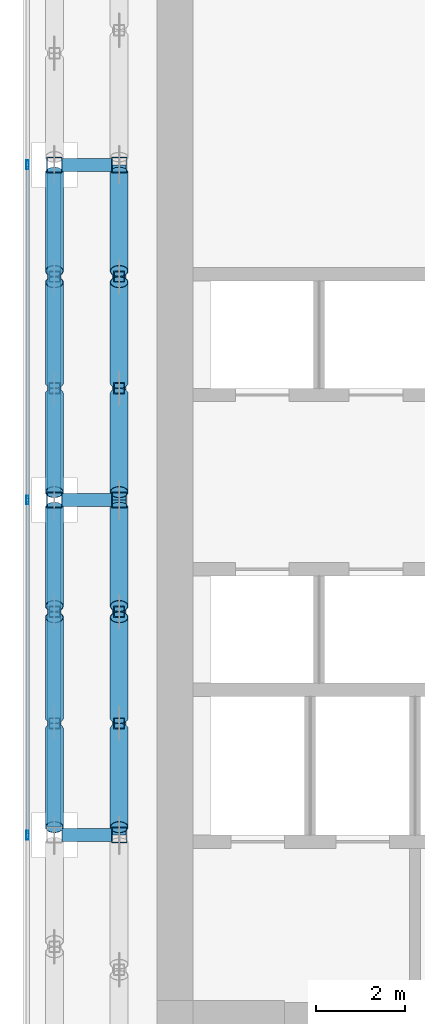
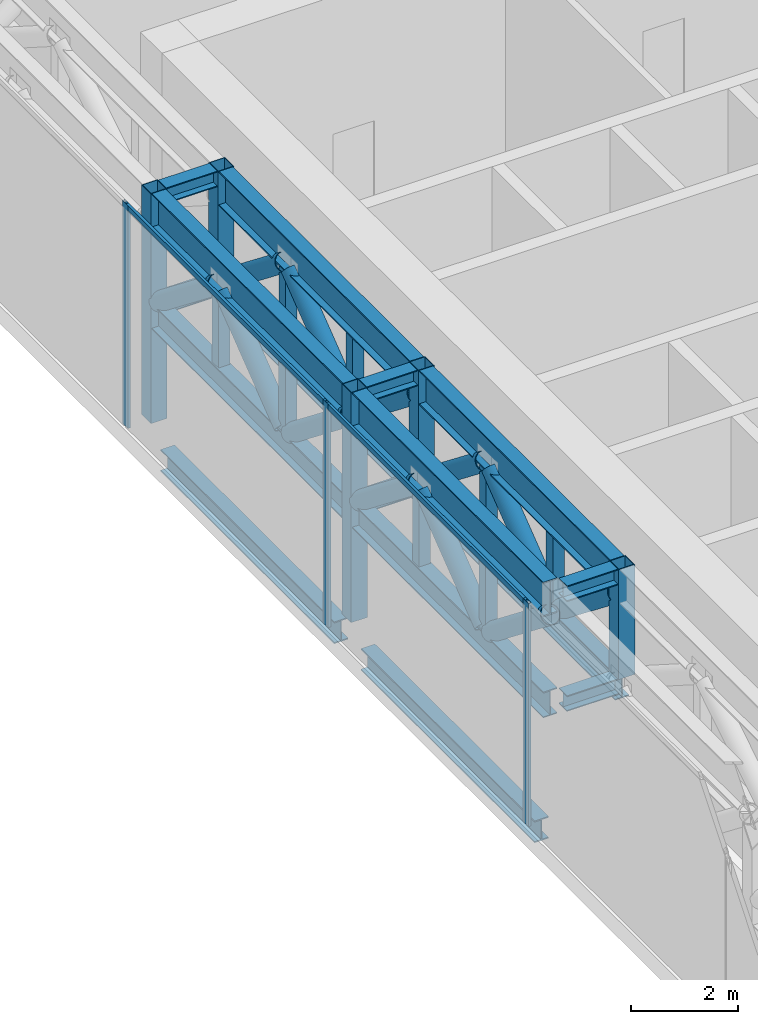
# One storey, part 8 of 36: 38 members, 8 beams, 1 element without a shape of its own.
"""IFC4 building model written with IfcOpenShell, lengths in metres."""

from ifc_helpers import new_model, si_unit, direction, frame, origin, origin_2d, place, context, subcontext, project, spatial, hollow_rectangle, hollow_circle, i_section, extrude, source, transform, mapped, material, material_profile, profile_set, type_object, element, aggregate, save


model = new_model("IFC4")

# Units and contexts
model_context = context("Model", 3, precision=1e-05, world=origin(), true_north=direction((0.0, 1.0)))
body_context = subcontext(model_context, "Body", "Model", "MODEL_VIEW")
ifc_project = project(units=[si_unit("LENGTHUNIT", "METRE"), si_unit("AREAUNIT", "SQUARE_METRE"), si_unit("VOLUMEUNIT", "CUBIC_METRE"), si_unit("PLANEANGLEUNIT", "RADIAN"), si_unit("MASSUNIT", "GRAM", prefix="KILO")], contexts=[model_context])

# Site, building, storey
site_placement = place(None, origin())
site = spatial("IfcSite", under=ifc_project, at=site_placement, CompositionType="ELEMENT")
building_placement = place(site_placement, origin())
building = spatial("IfcBuilding", under=site, at=building_placement, Name="Khomas Fold Tower", CompositionType="ELEMENT")
storey_placement = place(building_placement, frame((0.0, 0.0, 216.699951171875)))
storey = spatial("IfcBuildingStorey", under=building, at=storey_placement, Name="L48", CompositionType="ELEMENT", Elevation=216.699951171875)

# Beams
ifc_material_1 = material(Name="Steel S355", Category="steel")
ifc_material_profile_1 = material_profile(ifc_material_1, i_section(OverallWidth=0.300048828125, OverallDepth=0.5, WebThickness=0.014404296875, FlangeThickness=0.028076171875, at=origin_2d()), Name="HE 500 B")
ifc_profile_set_1 = profile_set([ifc_material_profile_1], Name="Steel S355")
beam_type_1 = type_object("IfcBeamType", Name="HE 500 B spandrel SB3", PredefinedType="SPANDREL", material=ifc_profile_set_1)
shared_shape_1 = source(origin(), body_context, "Body", "SweptSolid", [
    extrude(i_section(OverallWidth=0.300048828125, OverallDepth=0.5, WebThickness=0.014404296875, FlangeThickness=0.028076171875, at=origin_2d()), origin(), (0.0, 0.0, 1.0), 6.5),
])
for number, where, z_axis, x_axis, name in (
    (1, (3.699951171875, 27.5, -0.64990234375), (0.0, 1.0, 0.0), (-1.0, 0.0, 0.0), "SB3"),
    (2, (3.699951171875, 20.0, -0.64990234375), (0.0, 1.0, 0.0), (-1.0, 0.0, 0.0), "SB3"),
):
    element("IfcBeam", number, at=place(storey_placement, frame(where, z_axis=z_axis, x_axis=x_axis)), inside=storey, type_object=beam_type_1, Name=name, PredefinedType="SPANDREL", context=body_context, shape_type="MappedRepresentation", body=[
        mapped(shared_shape_1, transform((0.0, 0.0, 0.0))),
    ])

# Members
ifc_material_2 = material(Name="Steel S355", Category="steel")
ifc_material_profile_2 = material_profile(ifc_material_2, i_section(OverallWidth=0.300048828125, OverallDepth=0.7900390625, WebThickness=0.014892578125, FlangeThickness=0.028076171875, at=origin_2d()), Name="HE 800 A")
ifc_profile_set_2 = profile_set([ifc_material_profile_2], Name="Steel S355")
member_type_1 = type_object("IfcMemberType", Name="BELT TRUSS 3 TOP CHORD HE 800 A", PredefinedType="CHORD", material=ifc_profile_set_2)
shared_shape_2 = source(origin(), body_context, "Body", "SweptSolid", [
    extrude(i_section(OverallWidth=0.300048828125, OverallDepth=0.7900390625, WebThickness=0.014892578125, FlangeThickness=0.028076171875, at=origin_2d()), origin(), (0.0, 0.0, 1.0), 7.14990234375),
])
for number, where, z_axis, x_axis, name in (
    (3, (3.699951171875, 34.324951171875, 4.85498046875), (0.0, -1.0, 0.0), (1.0, 0.0, 0.0), "BT3-CT"),
    (4, (3.699951171875, 26.824951171875, 4.85498046875), (0.0, -1.0, 0.0), (1.0, 0.0, 0.0), "BT3-CT"),
    (5, (5.14990234375, 34.324951171875, 4.85498046875), (0.0, -1.0, 0.0), (1.0, 0.0, 0.0), "BT3-CT"),
    (6, (5.14990234375, 26.824951171875, 4.85498046875), (0.0, -1.0, 0.0), (1.0, 0.0, 0.0), "BT3-CT"),
):
    element("IfcMember", number, at=place(storey_placement, frame(where, z_axis=z_axis, x_axis=x_axis)), inside=storey, type_object=member_type_1, Name=name, PredefinedType="CHORD", context=body_context, shape_type="MappedRepresentation", body=[
        mapped(shared_shape_2, transform((0.0, 0.0, 0.0))),
    ])
ifc_material_3 = material(Name="Steel S355", Category="steel")
ifc_material_profile_3 = material_profile(ifc_material_3, i_section(OverallWidth=0.300048828125, OverallDepth=0.590087890625, WebThickness=0.012939453125, FlangeThickness=0.02490234375, at=origin_2d()), Name="HE 600 A")
ifc_profile_set_3 = profile_set([ifc_material_profile_3], Name="Steel S355")
member_type_2 = type_object("IfcMemberType", Name="BELT TRUSS 3 BOTTOM CHORD HE 600 A", PredefinedType="CHORD", material=ifc_profile_set_3)
shared_shape_3 = source(origin(), body_context, "Body", "SweptSolid", [
    extrude(i_section(OverallWidth=0.300048828125, OverallDepth=0.590087890625, WebThickness=0.012939453125, FlangeThickness=0.02490234375, at=origin_2d()), origin(), (0.0, 0.0, 1.0), 7.14990234375),
])
for number, where, z_axis, x_axis, name in (
    (7, (3.699951171875, 34.324951171875, 2.445068359375), (0.0, -1.0, 0.0), (1.0, 0.0, 0.0), "BT3-CB"),
    (8, (3.699951171875, 26.824951171875, 2.445068359375), (0.0, -1.0, 0.0), (1.0, 0.0, 0.0), "BT3-CB"),
):
    element("IfcMember", number, at=place(storey_placement, frame(where, z_axis=z_axis, x_axis=x_axis)), inside=storey, type_object=member_type_2, Name=name, PredefinedType="CHORD", context=body_context, shape_type="MappedRepresentation", body=[
        mapped(shared_shape_3, transform((0.0, 0.0, 0.0))),
    ])
ifc_material_4 = material(Name="Steel S355", Category="steel")
ifc_material_profile_4 = material_profile(ifc_material_4, hollow_circle(Radius=0.203125, WallThickness=0.012451171875, at=origin_2d()), Name="CHS 406.4x12.5")
ifc_profile_set_4 = profile_set([ifc_material_profile_4], Name="Steel S355")
member_type_3 = type_object("IfcMemberType", Name="BELT TRUSS 3 DIAGONAL CHS 406.4x12.5", PredefinedType="BRACE", material=ifc_profile_set_4)
shared_shape_4 = source(origin(), body_context, "Body", "SweptSolid", [
    extrude(hollow_circle(Radius=0.203125, WallThickness=0.012451171875, at=origin_2d()), origin(), (0.0, 0.0, 1.0), 2.798583984375),
])
for number, where, z_axis, x_axis, name in (
    (9, (3.699951171875, 34.324951171875, 2.735107421875), (0.0, -0.786067028411, 0.618141267709), (1.0, 0.0, 0.0), "BT3-D"),
    (10, (3.699951171875, 29.375, 2.735107421875), (0.0, -0.786067028411, 0.618141267709), (1.0, 0.0, 0.0), "BT3-D"),
    (11, (3.699951171875, 26.824951171875, 2.735107421875), (0.0, -0.786067028411, 0.618141267709), (1.0, 0.0, 0.0), "BT3-D"),
    (12, (3.699951171875, 21.875, 2.735107421875), (0.0, -0.786067028411, 0.618141267709), (1.0, 0.0, 0.0), "BT3-D"),
    (13, (5.14990234375, 34.324951171875, 2.735107421875), (0.0, -0.786067028411, 0.618141267709), (1.0, 0.0, 0.0), "BT3-D"),
    (14, (5.14990234375, 29.375, 2.735107421875), (0.0, -0.786067028411, 0.618141267709), (1.0, 0.0, 0.0), "BT3-D"),
    (15, (5.14990234375, 26.824951171875, 2.735107421875), (0.0, -0.786067028411, 0.618141267709), (1.0, 0.0, 0.0), "BT3-D"),
    (16, (5.14990234375, 21.875, 2.735107421875), (0.0, -0.786067028411, 0.618141267709), (1.0, 0.0, 0.0), "BT3-D"),
):
    element("IfcMember", number, at=place(storey_placement, frame(where, z_axis=z_axis, x_axis=x_axis)), inside=storey, type_object=member_type_3, Name=name, PredefinedType="BRACE", context=body_context, shape_type="MappedRepresentation", body=[
        mapped(shared_shape_4, transform((0.0, 0.0, 0.0))),
    ])
shared_shape_5 = source(origin(), body_context, "Body", "SweptSolid", [
    extrude(hollow_circle(Radius=0.203125, WallThickness=0.012451171875, at=origin_2d()), origin(), (0.0, 0.0, 1.0), 2.838134765625),
])
for number, where, z_axis, x_axis, name in (
    (17, (3.699951171875, 31.875, 4.465087890625), (0.0, -0.792758275848, -0.609536148292), (1.0, 0.0, 0.0), "BT3-D"),
    (18, (3.699951171875, 24.375, 4.465087890625), (0.0, -0.792758275848, -0.609536148292), (1.0, 0.0, 0.0), "BT3-D"),
    (19, (5.14990234375, 31.875, 4.465087890625), (0.0, -0.792758275848, -0.609536148292), (1.0, 0.0, 0.0), "BT3-D"),
    (20, (5.14990234375, 24.375, 4.465087890625), (0.0, -0.792758275848, -0.609536148292), (1.0, 0.0, 0.0), "BT3-D"),
):
    element("IfcMember", number, at=place(storey_placement, frame(where, z_axis=z_axis, x_axis=x_axis)), inside=storey, type_object=member_type_3, Name=name, PredefinedType="BRACE", context=body_context, shape_type="MappedRepresentation", body=[
        mapped(shared_shape_5, transform((0.0, 0.0, 0.0))),
    ])
ifc_material_5 = material(Name="Steel S355", Category="steel")
ifc_material_profile_5 = material_profile(ifc_material_5, hollow_rectangle(XDim=0.25, YDim=0.25, WallThickness=0.01611328125, at=origin_2d()), Name="SHS 250x250x16")
ifc_profile_set_5 = profile_set([ifc_material_profile_5], Name="Steel S355")
member_type_4 = type_object("IfcMemberType", Name="BELT TRUSS 3 MID POST SHS 250x250x16", PredefinedType="POST", material=ifc_profile_set_5)
shared_shape_6 = source(origin(), body_context, "Body", "SweptSolid", [
    extrude(hollow_rectangle(XDim=0.25, YDim=0.25, WallThickness=0.01611328125, at=origin_2d()), origin(), (0.0, 0.0, 1.0), 1.719970703125),
])
for number, where, z_axis, x_axis, name in (
    (21, (3.699951171875, 32.0, 2.739990234375), (0.0, 0.0, 1.0), (1.0, 0.0, 0.0), "BT3-M"),
    (22, (3.699951171875, 29.5, 2.739990234375), (0.0, 0.0, 1.0), (1.0, 0.0, 0.0), "BT3-M"),
    (23, (3.699951171875, 24.5, 2.739990234375), (0.0, 0.0, 1.0), (1.0, 0.0, 0.0), "BT3-M"),
    (24, (3.699951171875, 22.0, 2.739990234375), (0.0, 0.0, 1.0), (1.0, 0.0, 0.0), "BT3-M"),
    (25, (5.14990234375, 32.0, 2.739990234375), (0.0, 0.0, 1.0), (1.0, 0.0, 0.0), "BT3-M"),
    (26, (5.14990234375, 29.5, 2.739990234375), (0.0, 0.0, 1.0), (1.0, 0.0, 0.0), "BT3-M"),
    (27, (5.14990234375, 24.5, 2.739990234375), (0.0, 0.0, 1.0), (1.0, 0.0, 0.0), "BT3-M"),
    (28, (5.14990234375, 22.0, 2.739990234375), (0.0, 0.0, 1.0), (1.0, 0.0, 0.0), "BT3-M"),
):
    element("IfcMember", number, at=place(storey_placement, frame(where, z_axis=z_axis, x_axis=x_axis)), inside=storey, type_object=member_type_4, Name=name, PredefinedType="POST", context=body_context, shape_type="MappedRepresentation", body=[
        mapped(shared_shape_6, transform((0.0, 0.0, 0.0))),
    ])
shared_shape_7 = source(origin(), body_context, "Body", "SweptSolid", [
    extrude(i_section(OverallWidth=0.300048828125, OverallDepth=0.590087890625, WebThickness=0.012939453125, FlangeThickness=0.02490234375, at=origin_2d()), origin(), (0.0, 0.0, 1.0), 7.5),
])
for number, where, z_axis, x_axis, name in (
    (29, (5.14990234375, 34.5, 2.445068359375), (0.0, -1.0, 0.0), (1.0, 0.0, 0.0), "BT3-CB"),
    (30, (5.14990234375, 27.0, 2.445068359375), (0.0, -1.0, 0.0), (1.0, 0.0, 0.0), "BT3-CB"),
):
    element("IfcMember", number, at=place(storey_placement, frame(where, z_axis=z_axis, x_axis=x_axis)), inside=storey, type_object=member_type_2, Name=name, PredefinedType="CHORD", context=body_context, shape_type="MappedRepresentation", body=[
        mapped(shared_shape_7, transform((0.0, 0.0, 0.0))),
    ])
ifc_material_6 = material(Name="Steel S355", Category="steel")
ifc_material_profile_6 = material_profile(ifc_material_6, hollow_rectangle(XDim=0.35009765625, YDim=0.35009765625, WallThickness=0.01611328125, at=origin_2d()), Name="SHS 350x350x16")
ifc_profile_set_6 = profile_set([ifc_material_profile_6], Name="Steel S355")
member_type_5 = type_object("IfcMemberType", Name="BELT TRUSS 3 COLUMN POST SHS 350x350x16", PredefinedType="POST", material=ifc_profile_set_6)
shared_shape_8 = source(origin(), body_context, "Body", "SweptSolid", [
    extrude(hollow_rectangle(XDim=0.35009765625, YDim=0.35009765625, WallThickness=0.01611328125, at=origin_2d()), origin(), (0.0, 0.0, 1.0), 5.25),
])
for number, where, z_axis, x_axis, name in (
    (31, (3.699951171875, 34.5, 0.0), (0.0, 0.0, 1.0), (1.0, 0.0, 0.0), "BT3-P"),
    (32, (3.699951171875, 27.0, 0.0), (0.0, 0.0, 1.0), (1.0, 0.0, 0.0), "BT3-P"),
):
    element("IfcMember", number, at=place(storey_placement, frame(where, z_axis=z_axis, x_axis=x_axis)), inside=storey, type_object=member_type_5, Name=name, PredefinedType="POST", context=body_context, shape_type="MappedRepresentation", body=[
        mapped(shared_shape_8, transform((0.0, 0.0, 0.0))),
    ])
ifc_material_7 = material(Name="Steel S355", Category="steel")
ifc_material_profile_7 = material_profile(ifc_material_7, hollow_rectangle(XDim=0.35009765625, YDim=0.35009765625, WallThickness=0.01611328125, at=origin_2d()), Name="SHS 350x350x16")
ifc_profile_set_7 = profile_set([ifc_material_profile_7], Name="Steel S355")
member_type_6 = type_object("IfcMemberType", Name="BELT TRUSS 3 COLUMN POST SHORT SHS 350x350x16", PredefinedType="POST", material=ifc_profile_set_7)
shared_shape_9 = source(origin(), body_context, "Body", "SweptSolid", [
    extrude(hollow_rectangle(XDim=0.35009765625, YDim=0.35009765625, WallThickness=0.01611328125, at=origin_2d()), origin(), (0.0, 0.0, 1.0), 2.510009765625),
])
for number, where, z_axis, x_axis, name in (
    (33, (5.14990234375, 34.5, 2.739990234375), (0.0, 0.0, 1.0), (1.0, 0.0, 0.0), "BT3-PS"),
    (34, (5.14990234375, 27.0, 2.739990234375), (0.0, 0.0, 1.0), (1.0, 0.0, 0.0), "BT3-PS"),
    (35, (5.14990234375, 19.5, 2.739990234375), (0.0, 0.0, 1.0), (1.0, 0.0, 0.0), "BT3-PS"),
):
    element("IfcMember", number, at=place(storey_placement, frame(where, z_axis=z_axis, x_axis=x_axis)), inside=storey, type_object=member_type_6, Name=name, PredefinedType="POST", context=body_context, shape_type="MappedRepresentation", body=[
        mapped(shared_shape_9, transform((0.0, 0.0, 0.0))),
    ])

# Beams
ifc_material_8 = material(Name="Steel S355", Category="steel")
ifc_material_profile_8 = material_profile(ifc_material_8, i_section(OverallWidth=0.300048828125, OverallDepth=0.360107421875, WebThickness=0.012451171875, FlangeThickness=0.0224609375, at=origin_2d()), Name="HE 360 B")
ifc_profile_set_8 = profile_set([ifc_material_profile_8], Name="Steel S355")
beam_type_2 = type_object("IfcBeamType", Name="BELT TRUSS 3 TOP STRUT HE 360 B", PredefinedType="BEAM", material=ifc_profile_set_8)
shared_shape_10 = source(origin(), body_context, "Body", "SweptSolid", [
    extrude(i_section(OverallWidth=0.300048828125, OverallDepth=0.360107421875, WebThickness=0.012451171875, FlangeThickness=0.0224609375, at=origin_2d()), origin(), (0.0, 0.0, 1.0), 1.10009765625),
])
for number, where, z_axis, x_axis, name in (
    (36, (4.97509765625, 19.5, 5.070068359375), (-1.0, 0.0, 0.0), (0.0, -1.0, 0.0), "BT3-ST"),
    (37, (4.97509765625, 27.0, 5.070068359375), (-1.0, 0.0, 0.0), (0.0, -1.0, 0.0), "BT3-ST"),
    (38, (4.97509765625, 34.5, 5.070068359375), (-1.0, 0.0, 0.0), (0.0, -1.0, 0.0), "BT3-ST"),
):
    element("IfcBeam", number, at=place(storey_placement, frame(where, z_axis=z_axis, x_axis=x_axis)), inside=storey, type_object=beam_type_2, Name=name, PredefinedType="BEAM", context=body_context, shape_type="MappedRepresentation", body=[
        mapped(shared_shape_10, transform((0.0, 0.0, 0.0))),
    ])
ifc_material_9 = material(Name="Steel S355", Category="steel")
ifc_material_profile_9 = material_profile(ifc_material_9, i_section(OverallWidth=0.300048828125, OverallDepth=0.360107421875, WebThickness=0.012451171875, FlangeThickness=0.0224609375, at=origin_2d()), Name="HE 360 B")
ifc_profile_set_9 = profile_set([ifc_material_profile_9], Name="Steel S355")
beam_type_3 = type_object("IfcBeamType", Name="BELT TRUSS 3 BOTTOM STRUT HE 360 B", PredefinedType="BEAM", material=ifc_profile_set_9)
shared_shape_11 = source(origin(), body_context, "Body", "SweptSolid", [
    extrude(i_section(OverallWidth=0.300048828125, OverallDepth=0.360107421875, WebThickness=0.012451171875, FlangeThickness=0.0224609375, at=origin_2d()), origin(), (0.0, 0.0, 1.0), 1.125),
])
for number, where, z_axis, x_axis, name in (
    (39, (5.0, 19.5, 2.56005859375), (-1.0, 0.0, 0.0), (0.0, -1.0, 0.0), "BT3-SB"),
    (40, (5.0, 27.0, 2.56005859375), (-1.0, 0.0, 0.0), (0.0, -1.0, 0.0), "BT3-SB"),
    (41, (5.0, 34.5, 2.56005859375), (-1.0, 0.0, 0.0), (0.0, -1.0, 0.0), "BT3-SB"),
):
    element("IfcBeam", number, at=place(storey_placement, frame(where, z_axis=z_axis, x_axis=x_axis)), inside=storey, type_object=beam_type_3, Name=name, PredefinedType="BEAM", context=body_context, shape_type="MappedRepresentation", body=[
        mapped(shared_shape_11, transform((0.0, 0.0, 0.0))),
    ])

# Curtain wall, members
ifc_material_10 = material(Name="Aluminium framed double glazing", Category="aluminium")
curtain_wall_type = type_object("IfcCurtainWallType", Name="SK-Plant louvre wall CW4", PredefinedType="NOTDEFINED", material=ifc_material_10)
curtain_wall_placement = place(storey_placement, origin())
curtain_wall = element("IfcCurtainWall", 42, at=curtain_wall_placement, inside=storey, type_object=curtain_wall_type, Name="CW4 run L48 09-0", PredefinedType="NOTDEFINED")
ifc_material_11 = material(Name="Aluminium", Category="aluminium")
ifc_material_profile_10 = material_profile(ifc_material_11, hollow_rectangle(XDim=0.06005859375, YDim=0.199951171875, WallThickness=0.00390625, at=origin_2d()), Name="SK-Plant louvre wall mullion CW4-M")
ifc_profile_set_10 = profile_set([ifc_material_profile_10], Name="Aluminium")
member_type_7 = type_object("IfcMemberType", Name="SK-Plant louvre wall mullion CW4-M", PredefinedType="MULLION", material=ifc_profile_set_10)
shared_shape_12 = source(origin(), body_context, "Body", "SweptSolid", [
    extrude(hollow_rectangle(XDim=0.06005859375, YDim=0.199951171875, WallThickness=0.00390625, at=origin_2d()), origin(), (0.0, 0.0, 1.0), 5.10009765625),
])
member_1_placement = place(storey_placement, frame((3.10009765625, 34.5, 0.0), z_axis=(0.0, 0.0, 1.0), x_axis=(1.0, 0.0, 0.0)))
member_1 = element("IfcMember", 43, at=member_1_placement, type_object=member_type_7, Name="CW4 mullion 4", PredefinedType="MULLION", context=body_context, shape_type="MappedRepresentation", body=[
    mapped(shared_shape_12, transform((0.0, 0.0, 0.0))),
])
member_2_placement = place(storey_placement, frame((3.10009765625, 27.0, 0.0), z_axis=(0.0, 0.0, 1.0), x_axis=(1.0, 0.0, 0.0)))
member_2 = element("IfcMember", 44, at=member_2_placement, type_object=member_type_7, Name="CW4 mullion 5", PredefinedType="MULLION", context=body_context, shape_type="MappedRepresentation", body=[
    mapped(shared_shape_12, transform((0.0, 0.0, 0.0))),
])
member_3_placement = place(storey_placement, frame((3.10009765625, 19.5, 0.0), z_axis=(0.0, 0.0, 1.0), x_axis=(1.0, 0.0, 0.0)))
member_3 = element("IfcMember", 45, at=member_3_placement, type_object=member_type_7, Name="CW4 mullion 6", PredefinedType="MULLION", context=body_context, shape_type="MappedRepresentation", body=[
    mapped(shared_shape_12, transform((0.0, 0.0, 0.0))),
])
ifc_material_12 = material(Name="Aluminium", Category="aluminium")
ifc_material_profile_11 = material_profile(ifc_material_12, hollow_rectangle(XDim=0.06005859375, YDim=0.1201171875, WallThickness=0.00390625, at=origin_2d()), Name="SK-Plant louvre wall transom CW4-T")
ifc_profile_set_11 = profile_set([ifc_material_profile_11], Name="Aluminium")
member_type_8 = type_object("IfcMemberType", Name="SK-Plant louvre wall transom CW4-T", PredefinedType="USERDEFINED", material=ifc_profile_set_11)
shared_shape_13 = source(origin(), body_context, "Body", "SweptSolid", [
    extrude(hollow_rectangle(XDim=0.06005859375, YDim=0.1201171875, WallThickness=0.00390625, at=origin_2d()), origin(), (0.0, 0.0, 1.0), 7.43994140625),
])
member_4_placement = place(storey_placement, frame((3.10009765625, 34.469970703125, 5.0400390625), z_axis=(0.0, -1.0, 0.0), x_axis=(1.0, 0.0, 0.0)))
member_4 = element("IfcMember", 46, at=member_4_placement, type_object=member_type_8, Name="CW4 transom 4", ObjectType="TRANSOM", PredefinedType="USERDEFINED", context=body_context, shape_type="MappedRepresentation", body=[
    mapped(shared_shape_13, transform((0.0, 0.0, 0.0))),
])
member_5_placement = place(storey_placement, frame((3.10009765625, 26.969970703125, 5.0400390625), z_axis=(0.0, -1.0, 0.0), x_axis=(1.0, 0.0, 0.0)))
member_5 = element("IfcMember", 47, at=member_5_placement, type_object=member_type_8, Name="CW4 transom 5", ObjectType="TRANSOM", PredefinedType="USERDEFINED", context=body_context, shape_type="MappedRepresentation", body=[
    mapped(shared_shape_13, transform((0.0, 0.0, 0.0))),
])
aggregate(curtain_wall, [member_1, member_2, member_3, member_4, member_5])

save(model, "model.ifc")
